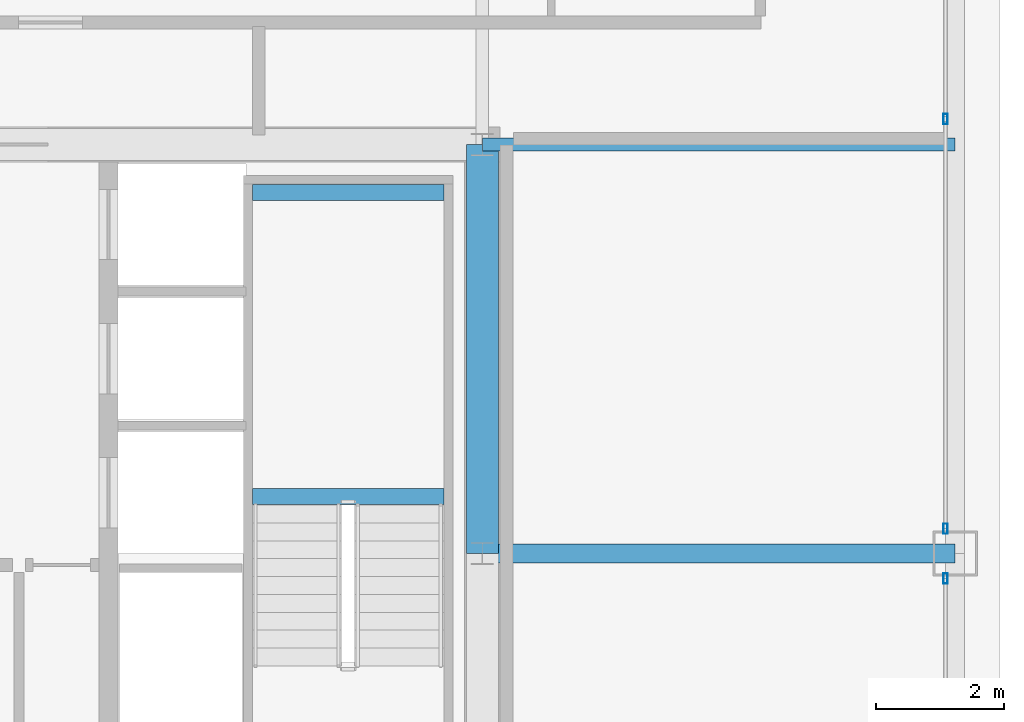
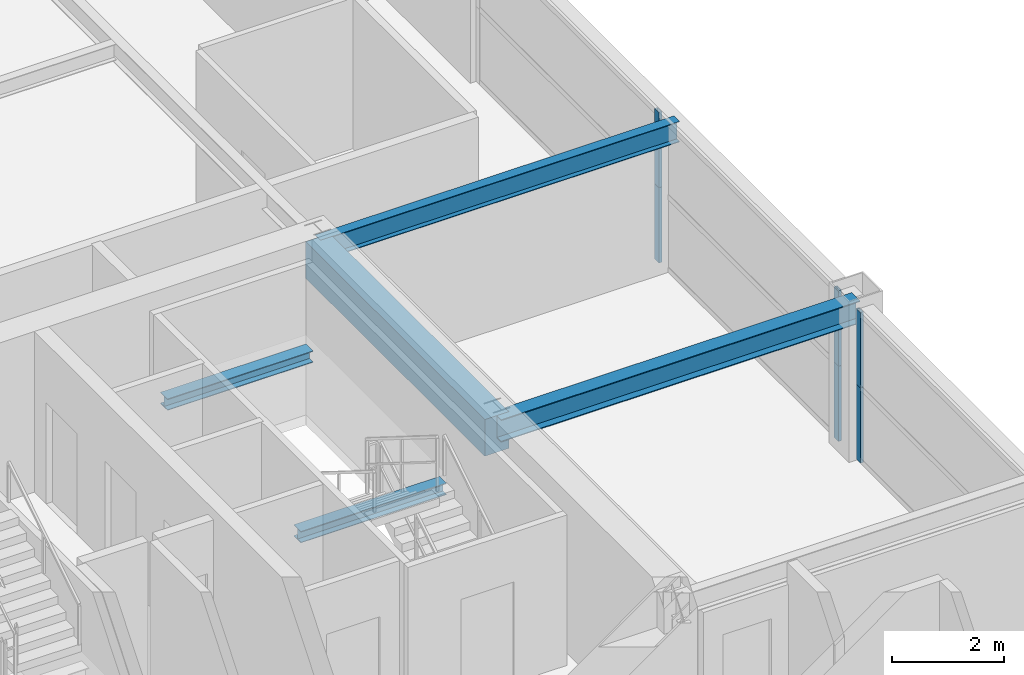
# One storey, part 21 of 37: 6 members, 5 beams, 2 elements without a shape of their own.
"""IFC4 building model written with IfcOpenShell, lengths in metres."""

from ifc_helpers import new_model, si_unit, direction, frame, origin, origin_2d, place, context, subcontext, project, spatial, rectangle, hollow_rectangle, i_section, extrude, source, transform, mapped, material, layer, layer_set, material_profile, profile_set, type_object, element, aggregate, save


model = new_model("IFC4")

# Units and contexts
model_context = context("Model", 3, precision=1e-05, world=origin(), true_north=direction((0.0, 1.0)))
body_context = subcontext(model_context, "Body", "Model", "MODEL_VIEW")
ifc_project = project(units=[si_unit("LENGTHUNIT", "METRE"), si_unit("AREAUNIT", "SQUARE_METRE"), si_unit("VOLUMEUNIT", "CUBIC_METRE"), si_unit("PLANEANGLEUNIT", "RADIAN"), si_unit("MASSUNIT", "GRAM", prefix="KILO"), si_unit("THERMODYNAMICTEMPERATUREUNIT", "KELVIN"), si_unit("POWERUNIT", "WATT")], contexts=[model_context])

# Site, building, storey
site_placement = place(None, origin())
site = spatial("IfcSite", under=ifc_project, at=site_placement, CompositionType="ELEMENT")
building_placement = place(site_placement, origin())
building = spatial("IfcBuilding", under=site, at=building_placement, Name="Yuzanri Waterfront Tower", CompositionType="ELEMENT")
storey_placement = place(building_placement, frame((0.0, 0.0, 275.10009765625)))
storey = spatial("IfcBuildingStorey", under=building, at=storey_placement, Name="L73", CompositionType="ELEMENT", Elevation=275.10009765625)

# Beams
ifc_material_1 = material(Name="Concrete C50", Category="concrete")
ifc_material_profile_1 = material_profile(ifc_material_1, rectangle(XDim=0.5, YDim=0.800048828125, at=origin_2d()), Name="RC 500x800")
ifc_profile_set_1 = profile_set([ifc_material_profile_1], Name="Concrete C50")
beam_type_1 = type_object("IfcBeamType", Name="Core Coupling Lintel Concrete C50 500x800", PredefinedType="LINTEL", material=ifc_profile_set_1)
shared_shape_1 = source(origin(), body_context, "Body", "SweptSolid", [
    extrude(rectangle(XDim=0.5, YDim=0.800048828125, at=origin_2d()), origin(), (0.0, 0.0, 1.0), 6.39990234375),
])
beam_1_placement = place(storey_placement, frame((50.199951171875, 25.800048828125, 2.8798828125), z_axis=(0.0, 1.0, 0.0), x_axis=(-1.0, 0.0, 0.0)))
element("IfcBeam", 1, at=beam_1_placement, inside=storey, type_object=beam_type_1, Name="L73 Core Tie Beam CE2", PredefinedType="LINTEL", context=body_context, shape_type="MappedRepresentation", body=[
    mapped(shared_shape_1, transform((0.0, 0.0, 0.0), scale=1.0)),
])
ifc_material_2 = material(Name="Steel Q355B", Category="steel")
ifc_material_profile_2 = material_profile(ifc_material_2, i_section(OverallWidth=0.300048828125, OverallDepth=0.488037109375, WebThickness=0.010986328125, FlangeThickness=0.01806640625, at=origin_2d()), Name="HM 488x300x11x18")
ifc_profile_set_2 = profile_set([ifc_material_profile_2], Name="Steel Q355B")
beam_type_2 = type_object("IfcBeamType", Name="Primary Floor Girder Q355B HM 488x300", PredefinedType="BEAM", material=ifc_profile_set_2)
shared_shape_2 = source(origin(), body_context, "Body", "SweptSolid", [
    extrude(i_section(OverallWidth=0.300048828125, OverallDepth=0.488037109375, WebThickness=0.010986328125, FlangeThickness=0.01806640625, at=origin_2d()), origin(), (0.0, 0.0, 1.0), 7.400146484375),
])
beam_2_placement = place(storey_placement, frame((50.199951171875, 25.800048828125, 3.035888671875), z_axis=(1.0, 0.0, 0.0), x_axis=(0.0, 1.0, 0.0)))
element("IfcBeam", 2, at=beam_2_placement, inside=storey, type_object=beam_type_2, Name="L73 East Grid Girder", PredefinedType="BEAM", context=body_context, shape_type="MappedRepresentation", body=[
    mapped(shared_shape_2, transform((0.0, 0.0, 0.0), scale=1.0)),
])
ifc_material_3 = material(Name="Steel Q355B", Category="steel")
ifc_material_profile_3 = material_profile(ifc_material_3, i_section(OverallWidth=0.199951171875, OverallDepth=0.449951171875, WebThickness=0.009033203125, FlangeThickness=0.013916015625, at=origin_2d()), Name="HN 450x200x9x14")
ifc_profile_set_3 = profile_set([ifc_material_profile_3], Name="Steel Q355B")
beam_type_3 = type_object("IfcBeamType", Name="Secondary Floor Beam Q355B HN 450x200", PredefinedType="BEAM", material=ifc_profile_set_3)
shared_shape_3 = source(origin(), body_context, "Body", "SweptSolid", [
    extrude(i_section(OverallWidth=0.199951171875, OverallDepth=0.449951171875, WebThickness=0.009033203125, FlangeThickness=0.013916015625, at=origin_2d()), origin(), (0.0, 0.0, 1.0), 7.400146484375),
])
beam_3_placement = place(storey_placement, frame((50.199951171875, 32.199951171875, 3.054931640625), z_axis=(1.0, 0.0, 0.0), x_axis=(0.0, 1.0, 0.0)))
element("IfcBeam", 3, at=beam_3_placement, inside=storey, type_object=beam_type_3, Name="L73 East-North Core Line Beam", PredefinedType="BEAM", context=body_context, shape_type="MappedRepresentation", body=[
    mapped(shared_shape_3, transform((0.0, 0.0, 0.0), scale=1.0)),
])

# Curtain wall, members
ifc_material_4 = material(Name="Anodized Architectural Bronze", Category="metal")
ifc_layer = layer(ifc_material_4, 0.159912109375)
ifc_layer_set = layer_set([ifc_layer], Name="Anodized Architectural Bronze")
curtain_wall_type = type_object("IfcCurtainWallType", Name="Anodized Bronze Mid-Rise Residential Acoustic Unitized Curtain Wall 7200", PredefinedType="NOTDEFINED", material=ifc_layer_set)
curtain_wall_1_placement = place(storey_placement, origin())
curtain_wall_1 = element("IfcCurtainWall", 4, at=curtain_wall_1_placement, inside=storey, type_object=curtain_wall_type, Name="L73 Curtain Wall CW-L73-EL", PredefinedType="NOTDEFINED")
ifc_material_5 = material(Name="Anodized Architectural Bronze", Category="metal")
ifc_material_profile_4 = material_profile(ifc_material_5, hollow_rectangle(XDim=0.06494140625, YDim=0.159912109375, WallThickness=0.00341796875, at=origin_2d()), Name="CWM 65x160")
ifc_profile_set_4 = profile_set([ifc_material_profile_4], Name="Anodized Architectural Bronze")
member_type = type_object("IfcMemberType", Name="Anodized Bronze Upper-Zone Curtain-Wall Mullion 65x160", PredefinedType="MULLION", material=ifc_profile_set_4)
shared_shape_4 = source(origin(), body_context, "Body", "SweptSolid", [
    extrude(hollow_rectangle(XDim=0.06494140625, YDim=0.159912109375, WallThickness=0.00341796875, at=origin_2d()), origin(), (0.0, 0.0, 1.0), 1.637939453125),
])
member_1_placement = place(storey_placement, frame((57.449951171875, 25.409912109375, 0.0), z_axis=(0.0, 0.0, 1.0), x_axis=(1.0, 0.0, 0.0)))
member_1 = element("IfcMember", 5, at=member_1_placement, type_object=member_type, Name="CW-L73-EL Lower Mullion 02", PredefinedType="MULLION", context=body_context, shape_type="MappedRepresentation", body=[
    mapped(shared_shape_4, transform((0.0, 0.0, 0.0), scale=1.0)),
])
member_2_placement = place(storey_placement, frame((57.449951171875, 25.409912109375, 1.641845703125), z_axis=(0.0, 0.0, 1.0), x_axis=(1.0, 0.0, 0.0)))
member_2 = element("IfcMember", 6, at=member_2_placement, type_object=member_type, Name="CW-L73-EL Upper Mullion 02", PredefinedType="MULLION", context=body_context, shape_type="MappedRepresentation", body=[
    mapped(shared_shape_4, transform((0.0, 0.0, 0.0), scale=1.0)),
])
aggregate(curtain_wall_1, [member_1, member_2])

curtain_wall_2_placement = place(storey_placement, origin())
curtain_wall_2 = element("IfcCurtainWall", 7, at=curtain_wall_2_placement, inside=storey, type_object=curtain_wall_type, Name="L73 Curtain Wall CW-L73-ER", PredefinedType="NOTDEFINED")
member_3_placement = place(storey_placement, frame((57.449951171875, 26.18994140625, 0.0), z_axis=(0.0, 0.0, 1.0), x_axis=(1.0, 0.0, 0.0)))
member_3 = element("IfcMember", 8, at=member_3_placement, type_object=member_type, Name="CW-L73-ER Lower Mullion 00", PredefinedType="MULLION", context=body_context, shape_type="MappedRepresentation", body=[
    mapped(shared_shape_4, transform((0.0, 0.0, 0.0), scale=1.0)),
])
member_4_placement = place(storey_placement, frame((57.449951171875, 26.18994140625, 1.641845703125), z_axis=(0.0, 0.0, 1.0), x_axis=(1.0, 0.0, 0.0)))
member_4 = element("IfcMember", 9, at=member_4_placement, type_object=member_type, Name="CW-L73-ER Upper Mullion 00", PredefinedType="MULLION", context=body_context, shape_type="MappedRepresentation", body=[
    mapped(shared_shape_4, transform((0.0, 0.0, 0.0), scale=1.0)),
])
member_5_placement = place(storey_placement, frame((57.449951171875, 32.60009765625, 0.0), z_axis=(0.0, 0.0, 1.0), x_axis=(1.0, 0.0, 0.0)))
member_5 = element("IfcMember", 10, at=member_5_placement, type_object=member_type, Name="CW-L73-ER Lower Mullion 01", PredefinedType="MULLION", context=body_context, shape_type="MappedRepresentation", body=[
    mapped(shared_shape_4, transform((0.0, 0.0, 0.0), scale=1.0)),
])
member_6_placement = place(storey_placement, frame((57.449951171875, 32.60009765625, 1.641845703125), z_axis=(0.0, 0.0, 1.0), x_axis=(1.0, 0.0, 0.0)))
member_6 = element("IfcMember", 11, at=member_6_placement, type_object=member_type, Name="CW-L73-ER Upper Mullion 01", PredefinedType="MULLION", context=body_context, shape_type="MappedRepresentation", body=[
    mapped(shared_shape_4, transform((0.0, 0.0, 0.0), scale=1.0)),
])
aggregate(curtain_wall_2, [member_3, member_4, member_5, member_6])

# Beams
ifc_material_6 = material(Name="Steel Q355B", Category="steel")
ifc_material_profile_5 = material_profile(ifc_material_6, i_section(OverallWidth=0.25, OverallDepth=0.25, WebThickness=0.009033203125, FlangeThickness=0.013916015625, at=origin_2d()), Name="HW 250x250x9x14")
ifc_profile_set_5 = profile_set([ifc_material_profile_5], Name="Steel Q355B")
beam_type_4 = type_object("IfcBeamType", Name="Stair Landing Support Beam Q355B HW 250x250", PredefinedType="BEAM", material=ifc_profile_set_5)
shared_shape_5 = source(origin(), body_context, "Body", "SweptSolid", [
    extrude(i_section(OverallWidth=0.25, OverallDepth=0.25, WebThickness=0.009033203125, FlangeThickness=0.013916015625, at=origin_2d()), origin(), (0.0, 0.0, 1.0), 3.0),
])
for number, where, z_axis, x_axis, name in (
    (12, (46.60009765625, 26.68994140625, 1.4248046875), (1.0, 0.0, 0.0), (0.0, 1.0, 0.0), "L73 Stair Landing Support Beam ST-02-L73-L1-1"),
    (13, (46.60009765625, 31.449951171875, 1.4248046875), (1.0, 0.0, 0.0), (0.0, 1.0, 0.0), "L73 Stair Landing Support Beam ST-02-L73-L1-2"),
):
    element("IfcBeam", number, at=place(storey_placement, frame(where, z_axis=z_axis, x_axis=x_axis)), inside=storey, type_object=beam_type_4, Name=name, PredefinedType="BEAM", context=body_context, shape_type="MappedRepresentation", body=[
        mapped(shared_shape_5, transform((0.0, 0.0, 0.0), scale=1.0)),
    ])

save(model, "model.ifc")
